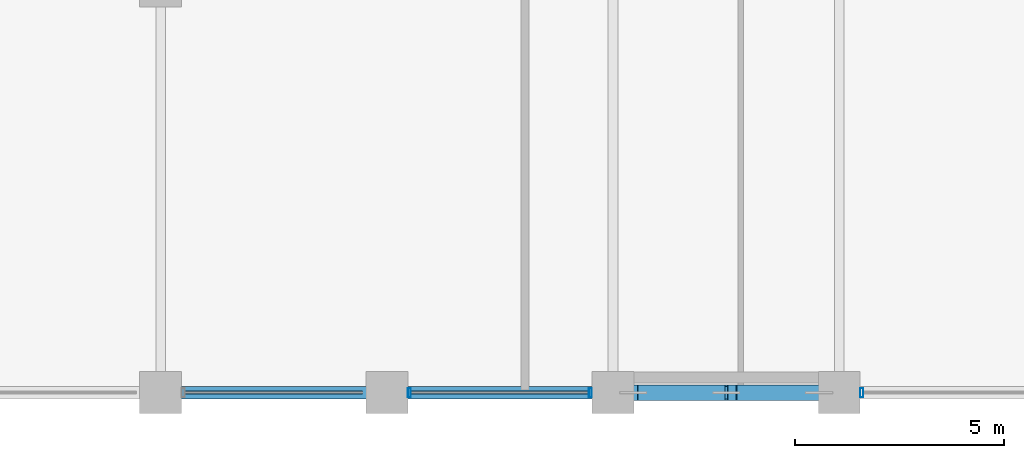
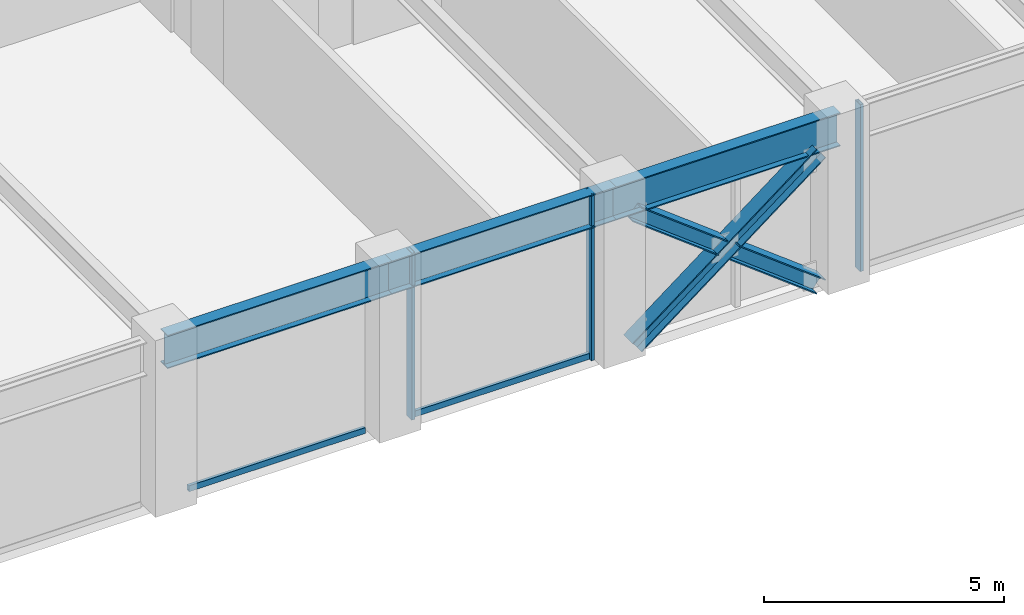
# One storey, part 3 of 25: 8 members, 3 beams, 2 elements without a shape of their own.
"""IFC4 building model written with IfcOpenShell, lengths in metres."""

from ifc_helpers import new_model, si_unit, direction, frame, origin, origin_2d, place, context, subcontext, project, spatial, hollow_rectangle, i_section, extrude, material, layer, layer_set, material_profile, profile_set, type_object, element, aggregate, save


model = new_model("IFC4")

# Units and contexts
model_context = context("Model", 3, precision=1e-05, world=origin(), true_north=direction((0.0, 1.0)))
body_context = subcontext(model_context, "Body", "Model", "MODEL_VIEW")
ifc_project = project(units=[si_unit("LENGTHUNIT", "METRE"), si_unit("AREAUNIT", "SQUARE_METRE"), si_unit("VOLUMEUNIT", "CUBIC_METRE"), si_unit("PLANEANGLEUNIT", "RADIAN"), si_unit("MASSUNIT", "GRAM", prefix="KILO")], contexts=[model_context])

# Site, building, storey
site_placement = place(None, origin())
site = spatial("IfcSite", under=ifc_project, at=site_placement, CompositionType="ELEMENT")
building_placement = place(site_placement, origin())
building = spatial("IfcBuilding", under=site, at=building_placement, Name="Surkhivell Harbour Commons", CompositionType="ELEMENT")
storey_placement = place(building_placement, frame((0.0, 0.0, 162.0)))
storey = spatial("IfcBuildingStorey", under=building, at=storey_placement, Name="L42", CompositionType="ELEMENT", Elevation=162.0)

# Beams
ifc_material_1 = material(Name="Steel S460", Category="steel")
ifc_material_profile_1 = material_profile(ifc_material_1, i_section(OverallWidth=0.2939453125, OverallDepth=0.85107421875, WebThickness=0.01611328125, FlangeThickness=0.02685546875, at=origin_2d()), Name="UB838x292x226")
ifc_profile_set_1 = profile_set([ifc_material_profile_1], Name="Steel S460")
beam_type = type_object("IfcBeamType", Name="BM-SPN-838", PredefinedType="SPANDREL", material=ifc_profile_set_1)
beam_1_placement = place(storey_placement, frame((-21.60009765625, -25.89990234375, 3.824462890625), z_axis=(1.0, 0.0, 0.0), x_axis=(0.0, 1.0, 0.0)))
element("IfcBeam", 1, at=beam_1_placement, inside=storey, type_object=beam_type, Name="L42 Tube Spandrel (-21.6,-25.9)", PredefinedType="SPANDREL", context=body_context, shape_type="SweptSolid", body=[
    extrude(i_section(OverallWidth=0.2939453125, OverallDepth=0.85107421875, WebThickness=0.01611328125, FlangeThickness=0.02685546875, at=origin_2d()), origin(), (0.0, 0.0, 1.0), 5.400146484375),
])
beam_2_placement = place(storey_placement, frame((-16.199951171875, -25.89990234375, 3.824462890625), z_axis=(1.0, 0.0, 0.0), x_axis=(0.0, 1.0, 0.0)))
element("IfcBeam", 2, at=beam_2_placement, inside=storey, type_object=beam_type, Name="L42 Tube Spandrel (-16.2,-25.9)", PredefinedType="SPANDREL", context=body_context, shape_type="SweptSolid", body=[
    extrude(i_section(OverallWidth=0.2939453125, OverallDepth=0.85107421875, WebThickness=0.01611328125, FlangeThickness=0.02685546875, at=origin_2d()), origin(), (0.0, 0.0, 1.0), 5.39990234375),
])
beam_3_placement = place(storey_placement, frame((-10.800048828125, -25.89990234375, 3.824462890625), z_axis=(1.0, 0.0, 0.0), x_axis=(0.0, 1.0, 0.0)))
element("IfcBeam", 3, at=beam_3_placement, inside=storey, type_object=beam_type, Name="L42 Tube Spandrel (-10.8,-25.9)", PredefinedType="SPANDREL", context=body_context, shape_type="SweptSolid", body=[
    extrude(i_section(OverallWidth=0.2939453125, OverallDepth=0.85107421875, WebThickness=0.01611328125, FlangeThickness=0.02685546875, at=origin_2d()), origin(), (0.0, 0.0, 1.0), 5.400146484375),
])

# Curtain wall, members
ifc_material_2 = material(Name="Anodised pale-metal aluminium and insulated glazing", Category="aluminium")
ifc_layer = layer(ifc_material_2, 0.205078125)
ifc_layer_set = layer_set([ifc_layer], Name="Anodised pale-metal aluminium and insulated glazing")
curtain_wall_type = type_object("IfcCurtainWallType", Name="CW-SYS-Z2", PredefinedType="NOTDEFINED", material=ifc_layer_set)
curtain_wall_1_placement = place(storey_placement, origin())
curtain_wall_1 = element("IfcCurtainWall", 4, at=curtain_wall_1_placement, inside=storey, type_object=curtain_wall_type, Name="L42 Curtain Wall CW-L42-E00S1", PredefinedType="NOTDEFINED")
ifc_material_3 = material(Name="Anodised pale-metal aluminium alloy 6063-T6", Category="aluminium")
ifc_material_profile_2 = material_profile(ifc_material_3, hollow_rectangle(XDim=0.074951171875, YDim=0.219970703125, WallThickness=0.00390625, at=origin_2d()), Name="ALU-MULL-75x220")
ifc_profile_set_2 = profile_set([ifc_material_profile_2], Name="Anodised pale-metal aluminium alloy 6063-T6")
member_type_1 = type_object("IfcMemberType", Name="CWM-220", PredefinedType="MULLION", material=ifc_profile_set_2)
member_1_placement = place(storey_placement, frame((-15.660400390625, -25.89990234375, 0.0), z_axis=(0.0, 0.0, 1.0), x_axis=(1.0, 0.0, 0.0)))
member_1 = element("IfcMember", 5, at=member_1_placement, type_object=member_type_1, Name="CW-Z2 mullion 3", PredefinedType="MULLION", context=body_context, shape_type="SweptSolid", body=[
    extrude(hollow_rectangle(XDim=0.074951171875, YDim=0.219970703125, WallThickness=0.00390625, at=origin_2d()), origin(), (0.0, 0.0, 1.0), 4.25),
])
member_2_placement = place(storey_placement, frame((-11.339599609375, -25.89990234375, 0.0), z_axis=(0.0, 0.0, 1.0), x_axis=(1.0, 0.0, 0.0)))
member_2 = element("IfcMember", 6, at=member_2_placement, type_object=member_type_1, Name="CW-Z2 mullion 4", PredefinedType="MULLION", context=body_context, shape_type="SweptSolid", body=[
    extrude(hollow_rectangle(XDim=0.074951171875, YDim=0.219970703125, WallThickness=0.00390625, at=origin_2d()), origin(), (0.0, 0.0, 1.0), 4.25),
])

# Curtain wall, member
curtain_wall_2_placement = place(storey_placement, origin())
curtain_wall_2 = element("IfcCurtainWall", 7, at=curtain_wall_2_placement, inside=storey, type_object=curtain_wall_type, Name="L42 Curtain Wall CW-L42-E00S2", PredefinedType="NOTDEFINED")
member_3_placement = place(storey_placement, frame((-4.860595703125, -25.89990234375, 0.0), z_axis=(0.0, 0.0, 1.0), x_axis=(1.0, 0.0, 0.0)))
member_3 = element("IfcMember", 8, at=member_3_placement, type_object=member_type_1, Name="CW-Z2 mullion 1", PredefinedType="MULLION", context=body_context, shape_type="SweptSolid", body=[
    extrude(hollow_rectangle(XDim=0.074951171875, YDim=0.219970703125, WallThickness=0.00390625, at=origin_2d()), origin(), (0.0, 0.0, 1.0), 4.25),
])
aggregate(curtain_wall_2, [member_3])

# Member
ifc_material_profile_3 = material_profile(ifc_material_3, hollow_rectangle(XDim=0.074951171875, YDim=0.14990234375, WallThickness=0.00341796875, at=origin_2d()), Name="ALU-TRAN-75x150")
ifc_profile_set_3 = profile_set([ifc_material_profile_3], Name="Anodised pale-metal aluminium alloy 6063-T6")
member_type_2 = type_object("IfcMemberType", Name="CWT-150", PredefinedType="USERDEFINED", material=ifc_profile_set_3)
member_4_placement = place(storey_placement, frame((-21.02294921875, -25.89990234375, 0.074951171875), z_axis=(1.0, 0.0, 0.0), x_axis=(0.0, 1.0, 0.0)))
member_4 = element("IfcMember", 9, at=member_4_placement, type_object=member_type_2, Name="CW-Z2 transom 2.1", ObjectType="TRANSOM", PredefinedType="USERDEFINED", context=body_context, shape_type="SweptSolid", body=[
    extrude(hollow_rectangle(XDim=0.074951171875, YDim=0.14990234375, WallThickness=0.00341796875, at=origin_2d()), origin(), (0.0, 0.0, 1.0), 4.245849609375),
])

member_5_placement = place(storey_placement, frame((-15.623046875, -25.89990234375, 0.074951171875), z_axis=(1.0, 0.0, 0.0), x_axis=(0.0, 1.0, 0.0)))
member_5 = element("IfcMember", 10, at=member_5_placement, type_object=member_type_2, Name="CW-Z2 transom 3.1", ObjectType="TRANSOM", PredefinedType="USERDEFINED", context=body_context, shape_type="SweptSolid", body=[
    extrude(hollow_rectangle(XDim=0.074951171875, YDim=0.14990234375, WallThickness=0.00341796875, at=origin_2d()), origin(), (0.0, 0.0, 1.0), 4.24609375),
])

aggregate(curtain_wall_1, [member_4, member_1, member_2, member_5])

# Members
ifc_material_profile_4 = material_profile(ifc_material_1, i_section(OverallWidth=0.375, OverallDepth=0.375, WebThickness=0.0166015625, FlangeThickness=0.027099609375, at=origin_2d()), Name="UC356x368x202")
ifc_profile_set_4 = profile_set([ifc_material_profile_4], Name="Steel S460")
member_type_3 = type_object("IfcMemberType", Name="MEM-BRC-UC356", PredefinedType="BRACE", material=ifc_profile_set_4)
member_6_placement = place(storey_placement, frame((-10.31494140625, -25.89990234375, 0.008056640625), z_axis=(0.793715476272, 0.0, 0.608289193334), x_axis=(0.0, 1.0, 0.0)))
element("IfcMember", 11, at=member_6_placement, inside=storey, type_object=member_type_3, Name="L42 Perimeter Mega-Brace MB- 07", PredefinedType="BRACE", context=body_context, shape_type="SweptSolid", body=[
    extrude(i_section(OverallWidth=0.375, OverallDepth=0.375, WebThickness=0.0166015625, FlangeThickness=0.027099609375, at=origin_2d()), origin(), (0.0, 0.0, 1.0), 5.581298828125),
])
for number, where, z_axis, x_axis, name in (
    (12, (-5.885009765625, -25.89990234375, 0.008056640625), (-0.793728271904, 0.0, 0.608272496814), (0.0, -1.0, 0.0), "L42 Perimeter Mega-Brace MB- 08"),
    (13, (-8.242919921875, -25.89990234375, 1.81494140625), (-0.793683119175, 0.0, 0.608331411598), (0.0, -1.0, 0.0), "L42 Perimeter Mega-Brace MB- 09"),
):
    element("IfcMember", number, at=place(storey_placement, frame(where, z_axis=z_axis, x_axis=x_axis)), inside=storey, type_object=member_type_3, Name=name, PredefinedType="BRACE", context=body_context, shape_type="SweptSolid", body=[
        extrude(i_section(OverallWidth=0.375, OverallDepth=0.375, WebThickness=0.0166015625, FlangeThickness=0.027099609375, at=origin_2d()), origin(), (0.0, 0.0, 1.0), 2.610595703125),
    ])

save(model, "model.ifc")
